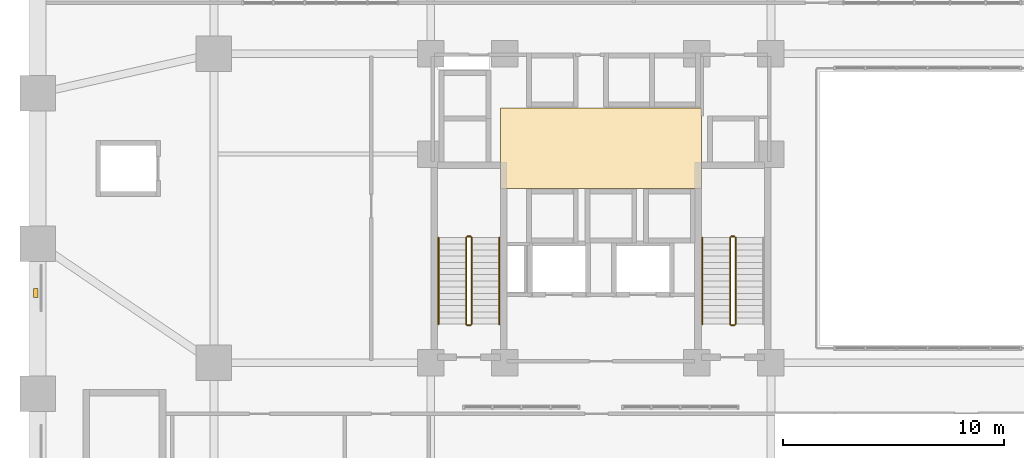
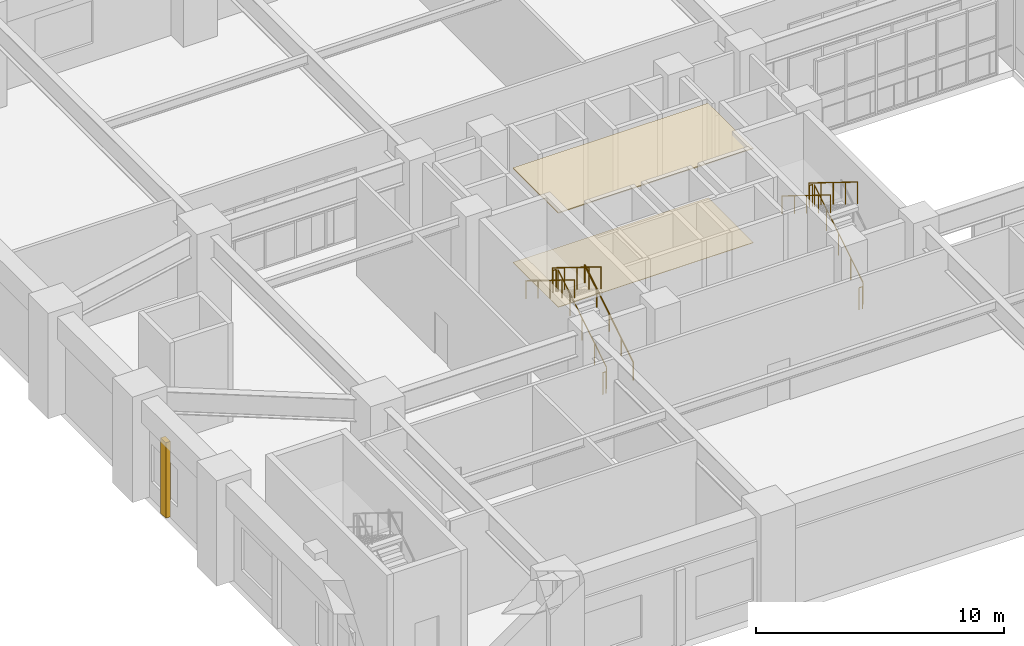
# One storey, part 12 of 14: 11 railings, 3 coverings.
"""IFC4 building model written with IfcOpenShell, lengths in metres."""

from ifc_helpers import new_model, si_unit, derived_unit, direction, frame, origin, origin_2d, place, context, subcontext, project, spatial, polyline, rectangle, circle, outline, extrude, material, layer, layer_set, type_object, element, save


model = new_model("IFC4")

# Units and contexts
model_context = context("Model", 3, precision=1e-05, world=origin(), true_north=direction((0.0, 1.0)))
body_context = subcontext(model_context, "Body", "Model", "MODEL_VIEW")
ifc_project = project(units=[si_unit("LENGTHUNIT", "METRE"), si_unit("AREAUNIT", "SQUARE_METRE"), si_unit("VOLUMEUNIT", "CUBIC_METRE"), si_unit("PLANEANGLEUNIT", "RADIAN"), si_unit("MASSUNIT", "GRAM", prefix="KILO"), derived_unit("THERMALTRANSMITTANCEUNIT", [(si_unit("MASSUNIT", "GRAM", prefix="KILO"), 1), (si_unit("TIMEUNIT", "SECOND"), -3), (si_unit("THERMODYNAMICTEMPERATUREUNIT", "KELVIN"), -1)])], contexts=[model_context])

# Site, building, storey
site_placement = place(None, origin())
site = spatial("IfcSite", under=ifc_project, at=site_placement, CompositionType="ELEMENT")
building_placement = place(site_placement, origin())
building = spatial("IfcBuilding", under=site, at=building_placement, Name="Korrvale Station Residences", CompositionType="ELEMENT")
storey_placement = place(building_placement, frame((0.0, 0.0, 6.0)))
storey = spatial("IfcBuildingStorey", under=building, at=storey_placement, Name="L01", CompositionType="ELEMENT", Elevation=6.0)

# Coverings
ifc_material_1 = material(Name="Perforated acoustic mineral-fibre suspended ceiling", Category="gypsum")
ifc_layer_1 = layer(ifc_material_1, 0.050048828125, Name="Perforated acoustic mineral-fibre suspended ceiling")
ifc_layer_set_1 = layer_set([ifc_layer_1], Name="Perforated acoustic mineral-fibre suspended ceiling")
covering_type_1 = type_object("IfcCoveringType", Name="COV-CLG-AC60", PredefinedType="CEILING", material=ifc_layer_set_1)
covering_1_placement = place(storey_placement, frame((0.0, 0.0, 4.6298828125)))
element("IfcCovering", 1, at=covering_1_placement, inside=storey, type_object=covering_type_1, Name="L01 Elevator Lobby Acoustic Ceiling", PredefinedType="CEILING", context=body_context, shape_type="SweptSolid", body=[
    extrude(outline(polyline([(20.949951171875, 22.89990234375), (30.050048828125, 22.89990234375), (30.050048828125, 26.550048828125), (20.949951171875, 26.550048828125), (20.949951171875, 22.89990234375)])), origin(), (0.0, 0.0, 1.0), 0.050048828125),
])
ifc_material_2 = material(Name="Polished quartz-terrazzo lobby flooring", Category="masonry")
ifc_layer_2 = layer(ifc_material_2, 0.02001953125, Name="Polished quartz-terrazzo lobby flooring")
ifc_layer_set_2 = layer_set([ifc_layer_2], Name="Polished quartz-terrazzo lobby flooring")
covering_type_2 = type_object("IfcCoveringType", Name="COV-FLR-TER20", PredefinedType="FLOORING", material=ifc_layer_set_2)
covering_2_placement = place(storey_placement, origin())
element("IfcCovering", 2, at=covering_2_placement, inside=storey, type_object=covering_type_2, Name="L01 Elevator Lobby Terrazzo Flooring", PredefinedType="FLOORING", context=body_context, shape_type="SweptSolid", body=[
    extrude(outline(polyline([(20.949951171875, 22.89990234375), (30.050048828125, 22.89990234375), (30.050048828125, 26.550048828125), (20.949951171875, 26.550048828125), (20.949951171875, 22.89990234375)])), origin(), (0.0, 0.0, 1.0), 0.02001953125),
])
ifc_material_3 = material(Name="Architectural precast concrete C45/55", Category="concrete")
ifc_layer_3 = layer(ifc_material_3, 0.219970703125, Name="Architectural precast concrete C45/55")
ifc_layer_set_3 = layer_set([ifc_layer_3], Name="Architectural precast concrete C45/55")
covering_type_3 = type_object("IfcCoveringType", Name="COV-PIER-400", PredefinedType="CLADDING", material=ifc_layer_set_3)
covering_3_placement = place(storey_placement, frame((-0.090087890625, 18.159912109375, 0.02490234375), z_axis=(0.0, 0.0, 1.0), x_axis=(0.0, 1.0, 0.0)))
element("IfcCovering", 3, at=covering_3_placement, inside=storey, type_object=covering_type_3, Name="L01 Architectural Precast Facade Pier 15", PredefinedType="CLADDING", context=body_context, shape_type="SweptSolid", body=[
    extrude(rectangle(XDim=0.419921875, YDim=0.219970703125, at=origin_2d()), origin(), (0.0, 0.0, 1.0), 3.715087890625),
])

# Railings
ifc_material_4 = material(Name="Brushed stainless-steel continuous stair handrail", Category="steel")
railing_type_1 = type_object("IfcRailingType", Name="RLG-SHND-900", PredefinedType="HANDRAIL", material=ifc_material_4)
railing_1_placement = place(storey_placement, frame((20.89990234375, 16.75, 0.17333984375)))
element("IfcRailing", 4, at=railing_1_placement, inside=storey, type_object=railing_type_1, Name="L01 ST-1 stair handrail 1", PredefinedType="HANDRAIL", context=body_context, shape_type="SweptSolid", body=[
    extrude(circle(Radius=0.02392578125, at=origin_2d()), frame((0.0, 0.0, 0.8759765625), z_axis=(0.0, 0.850251603719, 0.526376491091), x_axis=(-1.0, 0.0, 0.0)), (0.0, 0.0, 1.0), 4.6103515625),
    extrude(circle(Radius=0.02099609375, at=origin_2d()), origin(), (0.0, 0.0, 1.0), 0.851806640625),
    extrude(circle(Radius=0.02099609375, at=origin_2d()), frame((0.0, 0.97998046875, 0.606689453125)), (0.0, 0.0, 1.0), 0.851806640625),
    extrude(circle(Radius=0.02099609375, at=origin_2d()), frame((0.0, 1.9599609375, 1.21337890625)), (0.0, 0.0, 1.0), 0.851806640625),
    extrude(circle(Radius=0.02099609375, at=origin_2d()), frame((0.0, 2.93994140625, 1.820068359375)), (0.0, 0.0, 1.0), 0.851806640625),
    extrude(circle(Radius=0.02099609375, at=origin_2d()), frame((0.0, 3.919921875, 2.4267578125)), (0.0, 0.0, 1.0), 0.851806640625),
])
for number, where, name in (
    (5, (18.14990234375, 20.669921875, 2.7734375), "L01 ST-1 stair handrail 2"),
    (6, (30.10009765625, 20.669921875, 2.7734375), "L01 ST-2 stair handrail 2"),
):
    element("IfcRailing", number, at=place(storey_placement, frame(where)), inside=storey, type_object=railing_type_1, Name=name, PredefinedType="HANDRAIL", context=body_context, shape_type="SweptSolid", body=[
        extrude(circle(Radius=0.02392578125, at=origin_2d()), frame((0.0, 0.0, 0.8759765625), z_axis=(0.0, -0.850275303828, 0.526338206574), x_axis=(1.0, 0.0, 0.0)), (0.0, 0.0, 1.0), 4.610107421875),
        extrude(circle(Radius=0.02099609375, at=origin_2d()), origin(), (0.0, 0.0, 1.0), 0.851806640625),
        extrude(circle(Radius=0.02099609375, at=origin_2d()), frame((0.0, -0.97998046875, 0.606689453125)), (0.0, 0.0, 1.0), 0.851806640625),
        extrude(circle(Radius=0.02099609375, at=origin_2d()), frame((0.0, -1.9599609375, 1.21337890625)), (0.0, 0.0, 1.0), 0.851806640625),
        extrude(circle(Radius=0.02099609375, at=origin_2d()), frame((0.0, -2.93994140625, 1.81982421875)), (0.0, 0.0, 1.0), 0.851806640625),
        extrude(circle(Radius=0.02099609375, at=origin_2d()), frame((0.0, -3.919921875, 2.426513671875)), (0.0, 0.0, 1.0), 0.851806640625),
    ])
ifc_material_5 = material(Name="Galvanised painted tubular steel stair guard", Category="steel")
railing_type_2 = type_object("IfcRailingType", Name="RLG-STR-1100", PredefinedType="GUARDRAIL", material=ifc_material_5)
railing_2_placement = place(storey_placement, frame((19.64990234375, 16.75, 0.17333984375)))
element("IfcRailing", 7, at=railing_2_placement, inside=storey, type_object=railing_type_2, Name="L01 ST-1 stair guard 1", PredefinedType="GUARDRAIL", context=body_context, shape_type="SweptSolid", body=[
    extrude(circle(Radius=0.02392578125, at=origin_2d()), frame((0.0, 0.0, 1.076171875), z_axis=(0.0, 0.850251603719, 0.526376491091), x_axis=(-1.0, 0.0, 0.0)), (0.0, 0.0, 1.0), 4.6103515625),
    extrude(circle(Radius=0.02099609375, at=origin_2d()), origin(), (0.0, 0.0, 1.0), 1.052001953125),
    extrude(circle(Radius=0.02099609375, at=origin_2d()), frame((0.0, 0.97998046875, 0.606689453125)), (0.0, 0.0, 1.0), 1.052001953125),
    extrude(circle(Radius=0.02099609375, at=origin_2d()), frame((0.0, 1.9599609375, 1.21337890625)), (0.0, 0.0, 1.0), 1.052001953125),
    extrude(circle(Radius=0.02099609375, at=origin_2d()), frame((0.0, 2.93994140625, 1.820068359375)), (0.0, 0.0, 1.0), 1.052001953125),
    extrude(circle(Radius=0.02099609375, at=origin_2d()), frame((0.0, 3.919921875, 2.4267578125)), (0.0, 0.0, 1.0), 1.052001953125),
])
railing_3_placement = place(storey_placement, frame((19.60009765625, 20.719970703125, 2.60009765625)))
element("IfcRailing", 8, at=railing_3_placement, inside=storey, type_object=railing_type_2, Name="L01 ST-1 stair guard 2", PredefinedType="GUARDRAIL", context=body_context, shape_type="SweptSolid", body=[
    extrude(circle(Radius=0.02392578125, at=origin_2d()), frame((0.0, 0.0, 1.076171875), z_axis=(-1.0, 0.0, 0.0), x_axis=(0.0, -1.0, 0.0)), (0.0, 0.0, 1.0), 0.150146484375),
    extrude(circle(Radius=0.02099609375, at=origin_2d()), origin(), (0.0, 0.0, 1.0), 1.052001953125),
    extrude(circle(Radius=0.02099609375, at=origin_2d()), frame((-0.150146484375, 0.0, 0.0)), (0.0, 0.0, 1.0), 1.052001953125),
])
railing_4_placement = place(storey_placement, frame((19.39990234375, 20.669921875, 2.7734375)))
element("IfcRailing", 9, at=railing_4_placement, inside=storey, type_object=railing_type_2, Name="L01 ST-1 stair guard 3", PredefinedType="GUARDRAIL", context=body_context, shape_type="SweptSolid", body=[
    extrude(circle(Radius=0.02392578125, at=origin_2d()), frame((0.0, 0.0, 1.076171875), z_axis=(0.0, -0.850275303828, 0.526338206574), x_axis=(1.0, 0.0, 0.0)), (0.0, 0.0, 1.0), 4.610107421875),
    extrude(circle(Radius=0.02099609375, at=origin_2d()), origin(), (0.0, 0.0, 1.0), 1.052001953125),
    extrude(circle(Radius=0.02099609375, at=origin_2d()), frame((0.0, -0.97998046875, 0.606689453125)), (0.0, 0.0, 1.0), 1.052001953125),
    extrude(circle(Radius=0.02099609375, at=origin_2d()), frame((0.0, -1.9599609375, 1.21337890625)), (0.0, 0.0, 1.0), 1.052001953125),
    extrude(circle(Radius=0.02099609375, at=origin_2d()), frame((0.0, -2.93994140625, 1.81982421875)), (0.0, 0.0, 1.0), 1.052001953125),
    extrude(circle(Radius=0.02099609375, at=origin_2d()), frame((0.0, -3.919921875, 2.426513671875)), (0.0, 0.0, 1.0), 1.052001953125),
])
railing_5_placement = place(storey_placement, frame((19.60009765625, 16.699951171875, 0.0)))
element("IfcRailing", 10, at=railing_5_placement, inside=storey, type_object=railing_type_2, Name="L01 ST-1 stair guard 4", PredefinedType="GUARDRAIL", context=body_context, shape_type="SweptSolid", body=[
    extrude(circle(Radius=0.02392578125, at=origin_2d()), frame((0.0, 0.0, 1.076171875), z_axis=(-1.0, 0.0, 0.0), x_axis=(0.0, -1.0, 0.0)), (0.0, 0.0, 1.0), 0.150146484375),
    extrude(circle(Radius=0.02099609375, at=origin_2d()), origin(), (0.0, 0.0, 1.0), 1.052001953125),
    extrude(circle(Radius=0.02099609375, at=origin_2d()), frame((-0.150146484375, 0.0, 0.0)), (0.0, 0.0, 1.0), 1.052001953125),
])
railing_6_placement = place(storey_placement, frame((31.60009765625, 16.75, 0.17333984375)))
element("IfcRailing", 11, at=railing_6_placement, inside=storey, type_object=railing_type_2, Name="L01 ST-2 stair guard 1", PredefinedType="GUARDRAIL", context=body_context, shape_type="SweptSolid", body=[
    extrude(circle(Radius=0.02392578125, at=origin_2d()), frame((0.0, 0.0, 1.076171875), z_axis=(0.0, 0.850251603719, 0.526376491091), x_axis=(-1.0, 0.0, 0.0)), (0.0, 0.0, 1.0), 4.6103515625),
    extrude(circle(Radius=0.02099609375, at=origin_2d()), origin(), (0.0, 0.0, 1.0), 1.052001953125),
    extrude(circle(Radius=0.02099609375, at=origin_2d()), frame((0.0, 0.97998046875, 0.606689453125)), (0.0, 0.0, 1.0), 1.052001953125),
    extrude(circle(Radius=0.02099609375, at=origin_2d()), frame((0.0, 1.9599609375, 1.21337890625)), (0.0, 0.0, 1.0), 1.052001953125),
    extrude(circle(Radius=0.02099609375, at=origin_2d()), frame((0.0, 2.93994140625, 1.820068359375)), (0.0, 0.0, 1.0), 1.052001953125),
    extrude(circle(Radius=0.02099609375, at=origin_2d()), frame((0.0, 3.919921875, 2.4267578125)), (0.0, 0.0, 1.0), 1.052001953125),
])
railing_7_placement = place(storey_placement, frame((31.550048828125, 20.719970703125, 2.60009765625)))
element("IfcRailing", 12, at=railing_7_placement, inside=storey, type_object=railing_type_2, Name="L01 ST-2 stair guard 2", PredefinedType="GUARDRAIL", context=body_context, shape_type="SweptSolid", body=[
    extrude(circle(Radius=0.02392578125, at=origin_2d()), frame((0.0, 0.0, 1.076171875), z_axis=(-1.0, 0.0, 0.0), x_axis=(0.0, -1.0, 0.0)), (0.0, 0.0, 1.0), 0.150146484375),
    extrude(circle(Radius=0.02099609375, at=origin_2d()), origin(), (0.0, 0.0, 1.0), 1.052001953125),
    extrude(circle(Radius=0.02099609375, at=origin_2d()), frame((-0.150146484375, 0.0, 0.0)), (0.0, 0.0, 1.0), 1.052001953125),
])
railing_8_placement = place(storey_placement, frame((31.35009765625, 20.669921875, 2.7734375)))
element("IfcRailing", 13, at=railing_8_placement, inside=storey, type_object=railing_type_2, Name="L01 ST-2 stair guard 3", PredefinedType="GUARDRAIL", context=body_context, shape_type="SweptSolid", body=[
    extrude(circle(Radius=0.02392578125, at=origin_2d()), frame((0.0, 0.0, 1.076171875), z_axis=(0.0, -0.850275303828, 0.526338206574), x_axis=(1.0, 0.0, 0.0)), (0.0, 0.0, 1.0), 4.610107421875),
    extrude(circle(Radius=0.02099609375, at=origin_2d()), origin(), (0.0, 0.0, 1.0), 1.052001953125),
    extrude(circle(Radius=0.02099609375, at=origin_2d()), frame((0.0, -0.97998046875, 0.606689453125)), (0.0, 0.0, 1.0), 1.052001953125),
    extrude(circle(Radius=0.02099609375, at=origin_2d()), frame((0.0, -1.9599609375, 1.21337890625)), (0.0, 0.0, 1.0), 1.052001953125),
    extrude(circle(Radius=0.02099609375, at=origin_2d()), frame((0.0, -2.93994140625, 1.81982421875)), (0.0, 0.0, 1.0), 1.052001953125),
    extrude(circle(Radius=0.02099609375, at=origin_2d()), frame((0.0, -3.919921875, 2.426513671875)), (0.0, 0.0, 1.0), 1.052001953125),
])
railing_9_placement = place(storey_placement, frame((31.550048828125, 16.699951171875, 0.0)))
element("IfcRailing", 14, at=railing_9_placement, inside=storey, type_object=railing_type_2, Name="L01 ST-2 stair guard 4", PredefinedType="GUARDRAIL", context=body_context, shape_type="SweptSolid", body=[
    extrude(circle(Radius=0.02392578125, at=origin_2d()), frame((0.0, 0.0, 1.076171875), z_axis=(-1.0, 0.0, 0.0), x_axis=(0.0, -1.0, 0.0)), (0.0, 0.0, 1.0), 0.150146484375),
    extrude(circle(Radius=0.02099609375, at=origin_2d()), origin(), (0.0, 0.0, 1.0), 1.052001953125),
    extrude(circle(Radius=0.02099609375, at=origin_2d()), frame((-0.150146484375, 0.0, 0.0)), (0.0, 0.0, 1.0), 1.052001953125),
])

save(model, "model.ifc")
